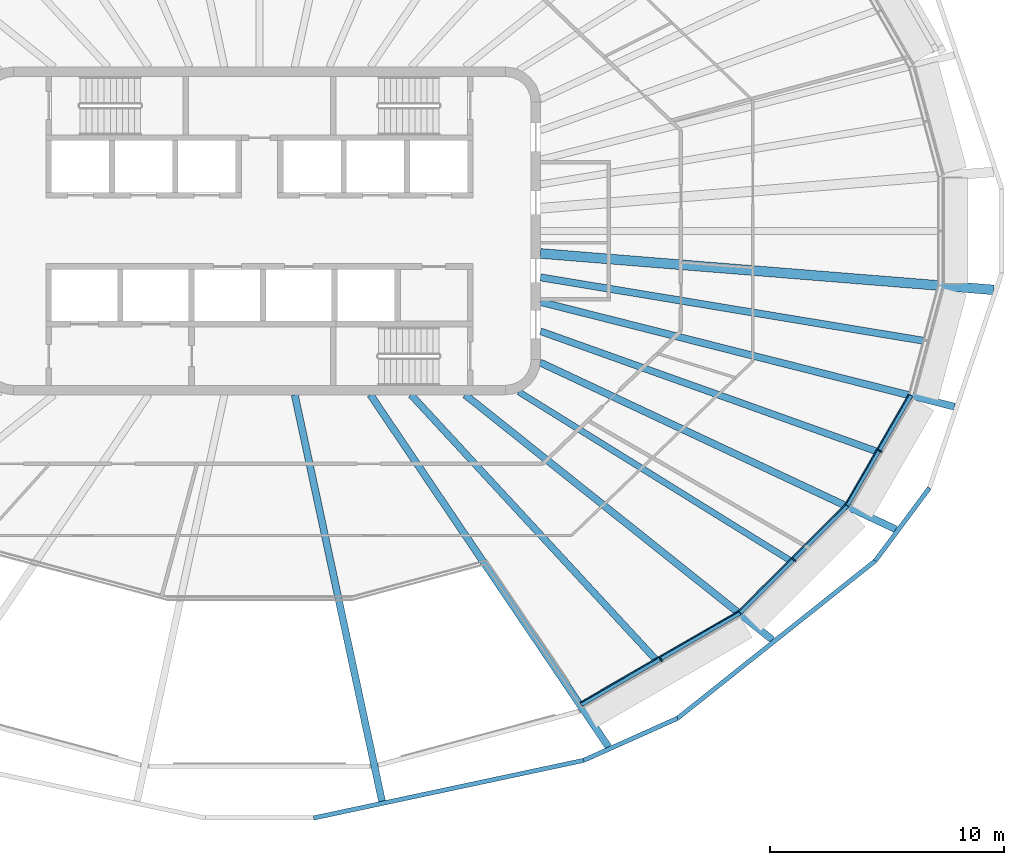
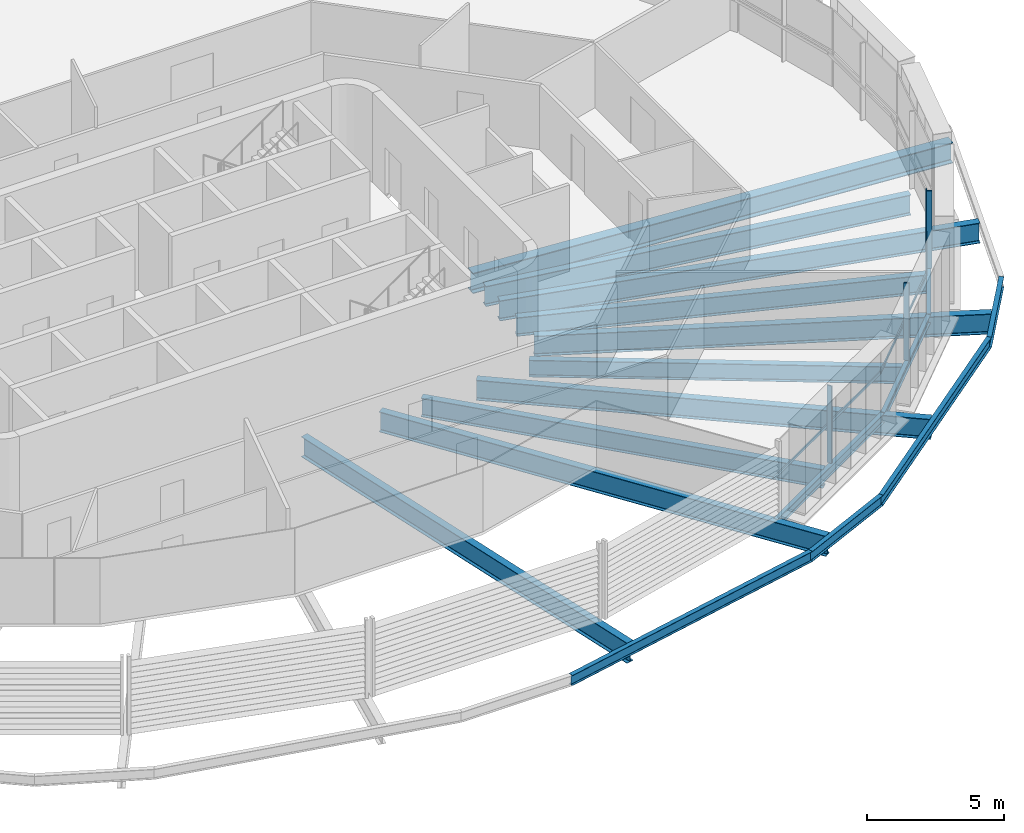
# One storey, part 3 of 19: 17 beams, 6 members, 3 elements without a shape of their own.
"""IFC4 building model written with IfcOpenShell, lengths in metres."""

from ifc_helpers import new_model, si_unit, direction, frame, origin, origin_2d, place, context, subcontext, project, spatial, rectangle, i_section, extrude, material, layer, layer_set, material_profile, profile_set, type_object, element, aggregate, save


model = new_model("IFC4")

# Units and contexts
model_context = context("Model", 3, precision=1e-05, world=origin(), true_north=direction((0.0, 1.0)))
body_context = subcontext(model_context, "Body", "Model", "MODEL_VIEW")
ifc_project = project(units=[si_unit("LENGTHUNIT", "METRE"), si_unit("AREAUNIT", "SQUARE_METRE"), si_unit("VOLUMEUNIT", "CUBIC_METRE"), si_unit("PLANEANGLEUNIT", "RADIAN"), si_unit("MASSUNIT", "GRAM", prefix="KILO")], contexts=[model_context])

# Site, building, storey
site_placement = place(None, origin())
site = spatial("IfcSite", under=ifc_project, at=site_placement, CompositionType="ELEMENT")
building_placement = place(site_placement, origin())
building = spatial("IfcBuilding", under=site, at=building_placement, Name="Sahrelin Media Tower", CompositionType="ELEMENT")
storey_placement = place(building_placement, frame((0.0, 0.0, 279.0)))
storey = spatial("IfcBuildingStorey", under=building, at=storey_placement, Name="L61", CompositionType="ELEMENT", Elevation=279.0)

# Beams
ifc_material_1 = material(Name="Steel S355", Category="steel")
ifc_material_profile_1 = material_profile(ifc_material_1, i_section(OverallWidth=0.1650390625, OverallDepth=0.303466796875, WebThickness=0.006103515625, FlangeThickness=0.01025390625, FilletRadius=0.0087890625, at=origin_2d()), Name="UB 305x165x40")
ifc_profile_set_1 = profile_set([ifc_material_profile_1], Name="Steel S355")
beam_type_1 = type_object("IfcBeamType", Name="Edge beam EB2", PredefinedType="BEAM", material=ifc_profile_set_1)
beam_1_placement = place(storey_placement, frame((27.821044921875, -7.0302734375, -0.3017578125), z_axis=(-0.500004447669, -0.866022835906, 0.0), x_axis=(0.866022835906, -0.500004447669, 0.0)))
element("IfcBeam", 1, at=beam_1_placement, inside=storey, type_object=beam_type_1, Name="Edge beam L61-03", PredefinedType="BEAM", context=body_context, shape_type="SweptSolid", body=[
    extrude(i_section(OverallWidth=0.1650390625, OverallDepth=0.303466796875, WebThickness=0.006103515625, FlangeThickness=0.01025390625, FilletRadius=0.0087890625, at=origin_2d()), origin(), (0.0, 0.0, 1.0), 5.4208984375),
])
ifc_material_profile_2 = material_profile(ifc_material_1, i_section(OverallWidth=0.17138671875, OverallDepth=0.35498046875, WebThickness=0.00732421875, FlangeThickness=0.011474609375, FilletRadius=0.01025390625, at=origin_2d()), Name="UB 356x171x51")
ifc_profile_set_2 = profile_set([ifc_material_profile_2], Name="Steel S355")
beam_type_2 = type_object("IfcBeamType", Name="Edge beam EB3", PredefinedType="BEAM", material=ifc_profile_set_2)
beam_2_placement = place(storey_placement, frame((25.093017578125, -11.747802734375, -0.327392578125), z_axis=(-0.707106781187, -0.707106781187, 0.0), x_axis=(0.707106781187, -0.707106781187, 0.0)))
element("IfcBeam", 2, at=beam_2_placement, inside=storey, type_object=beam_type_2, Name="Edge beam L61-04", PredefinedType="BEAM", context=body_context, shape_type="SweptSolid", body=[
    extrude(i_section(OverallWidth=0.17138671875, OverallDepth=0.35498046875, WebThickness=0.00732421875, FlangeThickness=0.011474609375, FilletRadius=0.01025390625, at=origin_2d()), origin(), (0.0, 0.0, 1.0), 6.448486328125),
])
ifc_material_profile_3 = material_profile(ifc_material_1, i_section(OverallWidth=0.177978515625, OverallDepth=0.406494140625, WebThickness=0.0078125, FlangeThickness=0.0126953125, FilletRadius=0.01025390625, at=origin_2d()), Name="UB 406x178x60")
ifc_profile_set_3 = profile_set([ifc_material_profile_3], Name="Steel S355")
beam_type_3 = type_object("IfcBeamType", Name="Edge beam EB4", PredefinedType="BEAM", material=ifc_profile_set_3)
beam_3_placement = place(storey_placement, frame((20.510498046875, -16.324951171875, -0.353271484375), z_axis=(-0.866023391957, -0.500003484571, 0.0), x_axis=(0.500003484571, -0.866023391957, 0.0)))
element("IfcBeam", 3, at=beam_3_placement, inside=storey, type_object=beam_type_3, Name="Edge beam L61-05", PredefinedType="BEAM", context=body_context, shape_type="SweptSolid", body=[
    extrude(i_section(OverallWidth=0.177978515625, OverallDepth=0.406494140625, WebThickness=0.0078125, FlangeThickness=0.0126953125, FilletRadius=0.01025390625, at=origin_2d()), origin(), (0.0, 0.0, 1.0), 7.82080078125),
])

# Curtain wall, member
ifc_material_2 = material(Name="Champagne anodised aluminium 6063-T6", Category="aluminium")
ifc_layer = layer(ifc_material_2, 0.14990234375)
ifc_layer_set = layer_set([ifc_layer], Name="Tower ribbon curtain wall")
curtain_wall_type = type_object("IfcCurtainWallType", Name="Tower ribbon curtain wall", PredefinedType="NOTDEFINED", material=ifc_layer_set)
curtain_wall_1_placement = place(storey_placement, frame((17.198974609375, -18.41015625, 0.0), z_axis=(0.0, 0.0, 1.0), x_axis=(1.0, 0.0, 0.0)))
curtain_wall_1 = element("IfcCurtainWall", 4, at=curtain_wall_1_placement, inside=storey, type_object=curtain_wall_type, Name="L61:CW:L61-20", PredefinedType="NOTDEFINED")
ifc_material_profile_4 = material_profile(ifc_material_2, rectangle(XDim=0.06005859375, YDim=0.199951171875, at=origin_2d()), Name="Mullion 60x200")
ifc_profile_set_4 = profile_set([ifc_material_profile_4], Name="Champagne anodised aluminium 6063-T6")
member_type_1 = type_object("IfcMemberType", Name="Mullion 60x200 CW1C", PredefinedType="MULLION", material=ifc_profile_set_4)
member_1_placement = place(storey_placement, frame((17.138916015625, -18.30615234375, 0.0), z_axis=(0.0, 0.0, 1.0), x_axis=(0.866027149108, 0.499996976998, 0.0)))
member_1 = element("IfcMember", 5, at=member_1_placement, type_object=member_type_1, Name="L61:CWM:L61-20", PredefinedType="MULLION", context=body_context, shape_type="SweptSolid", body=[
    extrude(rectangle(XDim=0.06005859375, YDim=0.199951171875, at=origin_2d()), origin(), (0.0, 0.0, 1.0), 3.448486328125),
])

curtain_wall_2_placement = place(storey_placement, frame((22.919189453125, -14.1337890625, 0.0), z_axis=(0.0, 0.0, 1.0), x_axis=(1.0, 0.0, 0.0)))
curtain_wall_2 = element("IfcCurtainWall", 6, at=curtain_wall_2_placement, inside=storey, type_object=curtain_wall_type, Name="L61:CW:L61-21", PredefinedType="NOTDEFINED")
member_2_placement = place(storey_placement, frame((22.83447265625, -14.048828125, 0.0), z_axis=(0.0, 0.0, 1.0), x_axis=(0.707106781187, 0.707106781187, 0.0)))
member_2 = element("IfcMember", 7, at=member_2_placement, type_object=member_type_1, Name="L61:CWM:L61-21", PredefinedType="MULLION", context=body_context, shape_type="SweptSolid", body=[
    extrude(rectangle(XDim=0.06005859375, YDim=0.199951171875, at=origin_2d()), origin(), (0.0, 0.0, 1.0), 3.448486328125),
])

curtain_wall_3_placement = place(storey_placement, frame((26.595703125, -9.452392578125, 0.0), z_axis=(0.0, 0.0, 1.0), x_axis=(1.0, 0.0, 0.0)))
curtain_wall_3 = element("IfcCurtainWall", 8, at=curtain_wall_3_placement, inside=storey, type_object=curtain_wall_type, Name="L61:CW:L61-22", PredefinedType="NOTDEFINED")
member_3_placement = place(storey_placement, frame((26.49169921875, -9.392578125, 0.0), z_axis=(0.0, 0.0, 1.0), x_axis=(0.499996976998, 0.866027149108, 0.0)))
member_3 = element("IfcMember", 9, at=member_3_placement, type_object=member_type_1, Name="L61:CWM:L61-22", PredefinedType="MULLION", context=body_context, shape_type="SweptSolid", body=[
    extrude(rectangle(XDim=0.06005859375, YDim=0.199951171875, at=origin_2d()), origin(), (0.0, 0.0, 1.0), 3.448486328125),
])

# Beams
ifc_material_profile_5 = material_profile(ifc_material_1, i_section(OverallWidth=0.30322265625, OverallDepth=0.903076171875, WebThickness=0.01513671875, FlangeThickness=0.020263671875, FilletRadius=0.01904296875, at=origin_2d()), Name="UB 914x305x201")
ifc_profile_set_5 = profile_set([ifc_material_profile_5], Name="Steel S355")
beam_type_4 = type_object("IfcBeamType", Name="Radial primary beam PB11", PredefinedType="BEAM", material=ifc_profile_set_5)
beam_4_placement = place(storey_placement, frame((1.50341796875, -7.0, -0.6015625), z_axis=(0.209955483333, -0.977710946558, 0.0), x_axis=(0.977710946558, 0.209955483333, 0.0)))
element("IfcBeam", 10, at=beam_4_placement, inside=storey, type_object=beam_type_4, Name="Radial beam L61-19", PredefinedType="BEAM", context=body_context, shape_type="SweptSolid", body=[
    extrude(i_section(OverallWidth=0.30322265625, OverallDepth=0.903076171875, WebThickness=0.01513671875, FlangeThickness=0.020263671875, FilletRadius=0.01904296875, at=origin_2d()), origin(), (0.0, 0.0, 1.0), 17.751708984375),
])
beam_5_placement = place(storey_placement, frame((4.7333984375, -7.0, -0.6015625), z_axis=(0.560166073141, -0.828380329621, 0.0), x_axis=(0.828380329621, 0.560166073141, 0.0)))
element("IfcBeam", 11, at=beam_5_placement, inside=storey, type_object=beam_type_4, Name="Radial beam L61-20", PredefinedType="BEAM", context=body_context, shape_type="SweptSolid", body=[
    extrude(i_section(OverallWidth=0.30322265625, OverallDepth=0.903076171875, WebThickness=0.01513671875, FlangeThickness=0.020263671875, FilletRadius=0.01904296875, at=origin_2d()), origin(), (0.0, 0.0, 1.0), 18.153076171875),
])
beam_6_placement = place(storey_placement, frame((8.77880859375, -7.0, -0.6015625), z_axis=(0.781873501952, -0.62343710745, 0.0), x_axis=(0.62343710745, 0.781873501952, 0.0)))
element("IfcBeam", 12, at=beam_6_placement, inside=storey, type_object=beam_type_4, Name="Radial beam L61-21", PredefinedType="BEAM", context=body_context, shape_type="SweptSolid", body=[
    extrude(i_section(OverallWidth=0.30322265625, OverallDepth=0.903076171875, WebThickness=0.01513671875, FlangeThickness=0.020263671875, FilletRadius=0.01904296875, at=origin_2d()), origin(), (0.0, 0.0, 1.0), 16.79150390625),
])
beam_7_placement = place(storey_placement, frame((11.984130859375, -5.620361328125, -0.6015625), z_axis=(0.905376992167, -0.42460864576, 0.0), x_axis=(0.42460864576, 0.905376992167, 0.0)))
element("IfcBeam", 13, at=beam_7_placement, inside=storey, type_object=beam_type_4, Name="Radial beam L61-22", PredefinedType="BEAM", context=body_context, shape_type="SweptSolid", body=[
    extrude(i_section(OverallWidth=0.30322265625, OverallDepth=0.903076171875, WebThickness=0.01513671875, FlangeThickness=0.020263671875, FilletRadius=0.01904296875, at=origin_2d()), origin(), (0.0, 0.0, 1.0), 16.78466796875),
])
beam_8_placement = place(storey_placement, frame((12.0, -3.035888671875, -0.6015625), z_axis=(0.969459095587, -0.245253057033, 0.0), x_axis=(0.245253057033, 0.969459095587, 0.0)))
element("IfcBeam", 14, at=beam_8_placement, inside=storey, type_object=beam_type_4, Name="Radial beam L61-23", PredefinedType="BEAM", context=body_context, shape_type="SweptSolid", body=[
    extrude(i_section(OverallWidth=0.30322265625, OverallDepth=0.903076171875, WebThickness=0.01513671875, FlangeThickness=0.020263671875, FilletRadius=0.01904296875, at=origin_2d()), origin(), (0.0, 0.0, 1.0), 18.23681640625),
])
ifc_material_profile_6 = material_profile(ifc_material_1, i_section(OverallWidth=0.41845703125, OverallDepth=0.911865234375, WebThickness=0.019287109375, FlangeThickness=0.031982421875, FilletRadius=0.024169921875, at=origin_2d()), Name="UB 914x419x343")
ifc_profile_set_6 = profile_set([ifc_material_profile_6], Name="Steel S355")
beam_type_5 = type_object("IfcBeamType", Name="Radial primary beam PB12", PredefinedType="BEAM", material=ifc_profile_set_6)
beam_9_placement = place(storey_placement, frame((12.0, -0.964599609375, -0.60595703125), z_axis=(0.99678559081, -0.080115453895, 0.0), x_axis=(0.080115453895, 0.99678559081, 0.0)))
element("IfcBeam", 15, at=beam_9_placement, inside=storey, type_object=beam_type_5, Name="Radial beam L61-24", PredefinedType="BEAM", context=body_context, shape_type="SweptSolid", body=[
    extrude(i_section(OverallWidth=0.41845703125, OverallDepth=0.911865234375, WebThickness=0.019287109375, FlangeThickness=0.031982421875, FilletRadius=0.024169921875, at=origin_2d()), origin(), (0.0, 0.0, 1.0), 19.4208984375),
])
ifc_material_profile_7 = material_profile(ifc_material_1, i_section(OverallWidth=0.291748046875, OverallDepth=0.8349609375, WebThickness=0.013916015625, FlangeThickness=0.018798828125, FilletRadius=0.017822265625, at=origin_2d()), Name="UB 838x292x176")
ifc_profile_set_7 = profile_set([ifc_material_profile_7], Name="Steel S355")
beam_type_6 = type_object("IfcBeamType", Name="Radial secondary beam SB10", PredefinedType="BEAM", material=ifc_profile_set_7)
beam_10_placement = place(storey_placement, frame((6.470703125, -7.0, -0.5673828125), z_axis=(0.67879267534, -0.734329969363, 0.0), x_axis=(0.734329969363, 0.67879267534, 0.0)))
element("IfcBeam", 16, at=beam_10_placement, inside=storey, type_object=beam_type_6, Name="Secondary beam L61-16", PredefinedType="BEAM", context=body_context, shape_type="SweptSolid", body=[
    extrude(i_section(OverallWidth=0.291748046875, OverallDepth=0.8349609375, WebThickness=0.013916015625, FlangeThickness=0.018798828125, FilletRadius=0.017822265625, at=origin_2d()), origin(), (0.0, 0.0, 1.0), 15.385986328125),
])
beam_11_placement = place(storey_placement, frame((12.0, -4.28759765625, -0.5673828125), z_axis=(0.941694777933, -0.336468342066, 0.0), x_axis=(0.336468342066, 0.941694777933, 0.0)))
element("IfcBeam", 17, at=beam_11_placement, inside=storey, type_object=beam_type_6, Name="Secondary beam L61-18", PredefinedType="BEAM", context=body_context, shape_type="SweptSolid", body=[
    extrude(i_section(OverallWidth=0.291748046875, OverallDepth=0.8349609375, WebThickness=0.013916015625, FlangeThickness=0.018798828125, FilletRadius=0.017822265625, at=origin_2d()), origin(), (0.0, 0.0, 1.0), 15.237548828125),
])
ifc_material_profile_8 = material_profile(ifc_material_1, i_section(OverallWidth=0.30322265625, OverallDepth=0.903076171875, WebThickness=0.01513671875, FlangeThickness=0.020263671875, FilletRadius=0.01904296875, at=origin_2d()), Name="UB 914x305x201")
ifc_profile_set_8 = profile_set([ifc_material_profile_8], Name="Steel S355")
beam_type_7 = type_object("IfcBeamType", Name="Radial secondary beam SB11", PredefinedType="BEAM", material=ifc_profile_set_8)
beam_12_placement = place(storey_placement, frame((12.0, -1.98583984375, -0.6015625), z_axis=(0.986583293342, -0.163258706656, 0.0), x_axis=(0.163258706656, 0.986583293342, 0.0)))
element("IfcBeam", 18, at=beam_12_placement, inside=storey, type_object=beam_type_7, Name="Secondary beam L61-19", PredefinedType="BEAM", context=body_context, shape_type="SweptSolid", body=[
    extrude(i_section(OverallWidth=0.30322265625, OverallDepth=0.903076171875, WebThickness=0.01513671875, FlangeThickness=0.020263671875, FilletRadius=0.01904296875, at=origin_2d()), origin(), (0.0, 0.0, 1.0), 16.59765625),
])
ifc_material_profile_9 = material_profile(ifc_material_1, i_section(OverallWidth=0.26513671875, OverallDepth=0.75390625, WebThickness=0.0126953125, FlangeThickness=0.017578125, FilletRadius=0.0166015625, at=origin_2d()), Name="UB 762x267x147")
ifc_profile_set_9 = profile_set([ifc_material_profile_9], Name="Steel S355")
beam_type_8 = type_object("IfcBeamType", Name="Radial secondary beam SB9", PredefinedType="BEAM", material=ifc_profile_set_9)
beam_13_placement = place(storey_placement, frame((11.0673828125, -6.87451171875, -0.527099609375), z_axis=(0.849458639342, -0.527655209439, 0.0), x_axis=(0.527655209439, 0.849458639342, 0.0)))
element("IfcBeam", 19, at=beam_13_placement, inside=storey, type_object=beam_type_8, Name="Secondary beam L61-17", PredefinedType="BEAM", context=body_context, shape_type="SweptSolid", body=[
    extrude(i_section(OverallWidth=0.26513671875, OverallDepth=0.75390625, WebThickness=0.0126953125, FlangeThickness=0.017578125, FilletRadius=0.0166015625, at=origin_2d()), origin(), (0.0, 0.0, 1.0), 13.635498046875),
])
ifc_material_profile_10 = material_profile(ifc_material_1, i_section(OverallWidth=0.1904296875, OverallDepth=0.45703125, WebThickness=0.009033203125, FlangeThickness=0.014404296875, FilletRadius=0.01025390625, at=origin_2d()), Name="UB 457x191x74")
ifc_profile_set_10 = profile_set([ifc_material_profile_10], Name="Steel S355")
beam_type_9 = type_object("IfcBeamType", Name="Tie chord TC5", PredefinedType="BEAM", material=ifc_profile_set_10)
beam_14_placement = place(storey_placement, frame((2.3134765625, -25.07568359375, -0.37841796875), z_axis=(0.977987429466, 0.208663815278, 0.0), x_axis=(-0.208663815278, 0.977987429466, 0.0)))
element("IfcBeam", 20, at=beam_14_placement, inside=storey, type_object=beam_type_9, Name="Tie chord L61-19", PredefinedType="BEAM", context=body_context, shape_type="SweptSolid", body=[
    extrude(i_section(OverallWidth=0.1904296875, OverallDepth=0.45703125, WebThickness=0.009033203125, FlangeThickness=0.014404296875, FilletRadius=0.01025390625, at=origin_2d()), origin(), (0.0, 0.0, 1.0), 11.793701171875),
])
beam_15_placement = place(storey_placement, frame((13.84765625, -22.61474609375, -0.37841796875), z_axis=(0.91245851259, 0.409169234915, 0.0), x_axis=(-0.409169234915, 0.91245851259, 0.0)))
element("IfcBeam", 21, at=beam_15_placement, inside=storey, type_object=beam_type_9, Name="Tie chord L61-20", PredefinedType="BEAM", context=body_context, shape_type="SweptSolid", body=[
    extrude(i_section(OverallWidth=0.1904296875, OverallDepth=0.45703125, WebThickness=0.009033203125, FlangeThickness=0.014404296875, FilletRadius=0.01025390625, at=origin_2d()), origin(), (0.0, 0.0, 1.0), 4.3916015625),
])
beam_16_placement = place(storey_placement, frame((17.854736328125, -20.81787109375, -0.37841796875), z_axis=(0.782259324086, 0.6229529275, 0.0), x_axis=(-0.6229529275, 0.782259324086, 0.0)))
element("IfcBeam", 22, at=beam_16_placement, inside=storey, type_object=beam_type_9, Name="Tie chord L61-21", PredefinedType="BEAM", context=body_context, shape_type="SweptSolid", body=[
    extrude(i_section(OverallWidth=0.1904296875, OverallDepth=0.45703125, WebThickness=0.009033203125, FlangeThickness=0.014404296875, FilletRadius=0.01025390625, at=origin_2d()), origin(), (0.0, 0.0, 1.0), 10.79345703125),
])
beam_17_placement = place(storey_placement, frame((26.298095703125, -14.093994140625, -0.37841796875), z_axis=(0.596610251129, 0.802531126031, 0.0), x_axis=(-0.802531126031, 0.596610251129, 0.0)))
element("IfcBeam", 23, at=beam_17_placement, inside=storey, type_object=beam_type_9, Name="Tie chord L61-22", PredefinedType="BEAM", context=body_context, shape_type="SweptSolid", body=[
    extrude(i_section(OverallWidth=0.1904296875, OverallDepth=0.45703125, WebThickness=0.009033203125, FlangeThickness=0.014404296875, FilletRadius=0.01025390625, at=origin_2d()), origin(), (0.0, 0.0, 1.0), 3.878173828125),
])

# Member
ifc_material_profile_11 = material_profile(ifc_material_2, rectangle(XDim=0.050048828125, YDim=0.1201171875, at=origin_2d()), Name="Transom 50x120")
ifc_profile_set_11 = profile_set([ifc_material_profile_11], Name="Champagne anodised aluminium 6063-T6")
member_type_2 = type_object("IfcMemberType", Name="Transom 50x120 CW1C", PredefinedType="USERDEFINED", material=ifc_profile_set_11)
member_4_placement = place(storey_placement, frame((13.70361328125, -20.145263671875, 1.60009765625), z_axis=(0.866014382239, 0.500019089391, 0.0), x_axis=(-0.500019089391, 0.866014382239, 0.0)))
member_4 = element("IfcMember", 24, at=member_4_placement, type_object=member_type_2, Name="L61:CWT:L61-20", ObjectType="TRANSOM", PredefinedType="USERDEFINED", context=body_context, shape_type="SweptSolid", body=[
    extrude(rectangle(XDim=0.050048828125, YDim=0.1201171875, at=origin_2d()), origin(), (0.0, 0.0, 1.0), 7.789306640625),
])

aggregate(curtain_wall_1, [member_1, member_4])

member_5_placement = place(storey_placement, frame((20.477294921875, -16.229248046875, 1.60009765625), z_axis=(0.707106781187, 0.707106781187, 0.0), x_axis=(-0.707106781187, 0.707106781187, 0.0)))
member_5 = element("IfcMember", 25, at=member_5_placement, type_object=member_type_2, Name="L61:CWT:L61-21", ObjectType="TRANSOM", PredefinedType="USERDEFINED", context=body_context, shape_type="SweptSolid", body=[
    extrude(rectangle(XDim=0.050048828125, YDim=0.1201171875, at=origin_2d()), origin(), (0.0, 0.0, 1.0), 6.417236328125),
])

aggregate(curtain_wall_2, [member_2, member_5])

member_6_placement = place(storey_placement, frame((25.0361328125, -11.663818359375, 1.60009765625), z_axis=(0.500007391159, 0.866021136455, 0.0), x_axis=(-0.866021136455, 0.500007391159, 0.0)))
member_6 = element("IfcMember", 26, at=member_6_placement, type_object=member_type_2, Name="L61:CWT:L61-22", ObjectType="TRANSOM", PredefinedType="USERDEFINED", context=body_context, shape_type="SweptSolid", body=[
    extrude(rectangle(XDim=0.050048828125, YDim=0.1201171875, at=origin_2d()), origin(), (0.0, 0.0, 1.0), 5.3896484375),
])

aggregate(curtain_wall_3, [member_3, member_6])

save(model, "model.ifc")
